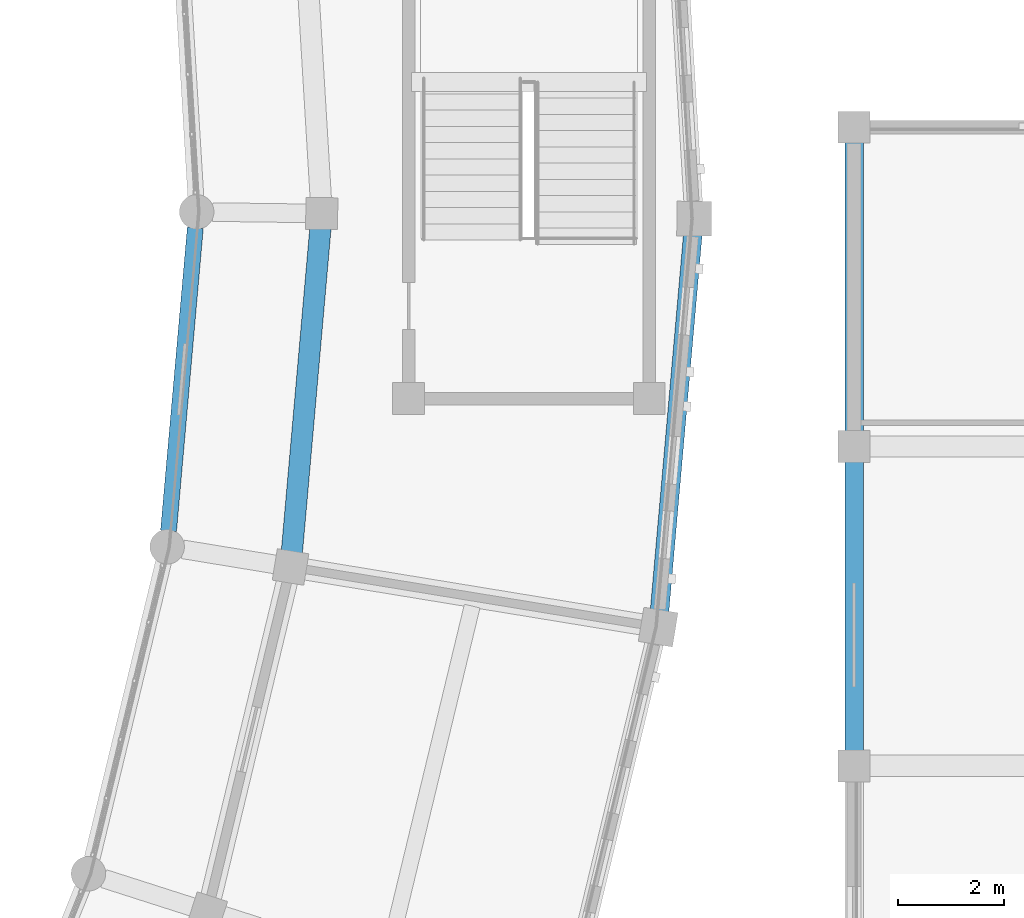
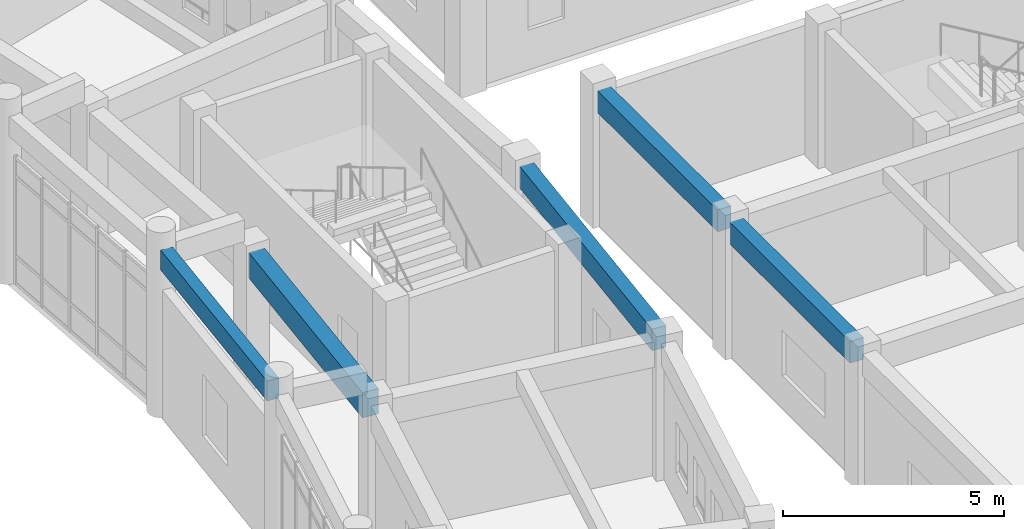
# One storey, part 86 of 159: 5 beams.
"""IFC4 building model written with IfcOpenShell, lengths in metres."""

import ifcopenshell
import ifcopenshell.guid

model = None  # the IFC model being written
_history = None  # IfcOwnerHistory: only IFC2X3 demands one
_inside = {}  # id of a spatial element -> (the spatial element, [elements in it])
_under = {}  # id of a project, library or spatial element -> (it, [spatial elements below it])
_declared = {}  # id of a project -> (the project, [libraries it declares])
_typed = {}  # id of a type object -> (the type object, [elements of that type])
_made_of = {}  # id of a material, layer set ... -> (it, [elements and type objects made of it])


def new_model(schema):
    """Start an empty IFC model of exactly this schema.

    Asked for "IFC4X3", IfcOpenShell would pick the latest addendum, in which some entities
    have other attributes; the version numbers below select the first issue.
    IFC2X3 requires an IfcOwnerHistory on every rooted entity: one is made here for all.
    """
    global model, _history
    if schema == "IFC4X3":
        model = ifcopenshell.file(schema_version=(4, 3, 0, 0))
    else:
        model = ifcopenshell.file(schema=schema)
    _inside.clear()
    _under.clear()
    _declared.clear()
    _typed.clear()
    _made_of.clear()
    _history = None
    if model.schema == "IFC2X3":
        org = make("IfcOrganization", Name="unknown")
        user = make(
            "IfcPersonAndOrganization",
            ThePerson=make("IfcPerson", FamilyName="unknown"),
            TheOrganization=org,
        )
        app = make(
            "IfcApplication",
            ApplicationDeveloper=org,
            Version="unknown",
            ApplicationFullName="unknown",
            ApplicationIdentifier="unknown",
        )
        _history = make(
            "IfcOwnerHistory",
            OwningUser=user,
            OwningApplication=app,
            ChangeAction="ADDED",
            CreationDate=0,
        )
    return model


def make(cls, **values):
    """One entity of the class cls with the attributes given. An attribute that is None is left unset."""
    return model.create_entity(
        cls, **{name: value for name, value in values.items() if value is not None}
    )


def rooted(cls, **values):
    """An entity with a GlobalId (a new one), such as an element, a storey or a relation."""
    return make(cls, GlobalId=ifcopenshell.guid.new(), OwnerHistory=_history, **values)


def si_unit(unit_type, name, prefix=None):
    """IfcSIUnit, for example si_unit("LENGTHUNIT", "METRE", prefix="MILLI")."""
    return make("IfcSIUnit", UnitType=unit_type, Prefix=prefix, Name=name)


def assignment(units):
    """IfcUnitAssignment: the units of a project."""
    return None if units is None else make("IfcUnitAssignment", Units=units)


def point(xyz):
    """IfcCartesianPoint."""
    return None if xyz is None else make("IfcCartesianPoint", Coordinates=xyz)


def direction(xyz):
    """IfcDirection."""
    return None if xyz is None else make("IfcDirection", DirectionRatios=xyz)


def frame(location, z_axis=None, x_axis=None):
    """IfcAxis2Placement3D, a coordinate frame: its origin and axes. An axis left out is left unset."""
    return make(
        "IfcAxis2Placement3D",
        Location=point(location),
        Axis=direction(z_axis),
        RefDirection=direction(x_axis),
    )


def frame_2d(location, x_axis=None):
    """IfcAxis2Placement2D, a coordinate frame in the plane: its origin and x axis."""
    return make(
        "IfcAxis2Placement2D", Location=point(location), RefDirection=direction(x_axis)
    )


def origin():
    """The frame at (0, 0, 0) with its axes left unset."""
    return frame((0.0, 0.0, 0.0))


def origin_2d():
    """The frame at (0, 0) in the plane with its x axis left unset."""
    return frame_2d((0.0, 0.0))


def place(relative_to, where):
    """IfcLocalPlacement: puts the frame where relative to a parent placement (None: the world)."""
    return make(
        "IfcLocalPlacement", PlacementRelTo=relative_to, RelativePlacement=where
    )


def context(
    kind, dimensions, precision=None, world=None, true_north=None, identifier=None
):
    """IfcGeometricRepresentationContext, for example the 3D "Model" context."""
    return make(
        "IfcGeometricRepresentationContext",
        ContextIdentifier=identifier,
        ContextType=kind,
        CoordinateSpaceDimension=dimensions,
        Precision=precision,
        WorldCoordinateSystem=world,
        TrueNorth=true_north,
    )


def subcontext(parent, identifier, kind, view, scale=None):
    """IfcGeometricRepresentationSubContext, for example "Body" below "Model"."""
    return make(
        "IfcGeometricRepresentationSubContext",
        ContextIdentifier=identifier,
        ContextType=kind,
        ParentContext=parent,
        TargetScale=scale,
        TargetView=view,
    )


def project(units=None, contexts=None):
    """IfcProject with its units and contexts."""
    return rooted(
        "IfcProject",
        Name="project",
        RepresentationContexts=contexts,
        UnitsInContext=assignment(units),
    )


def spatial(cls, under=None, at=None, **own):
    """A site, building, storey or space (cls), placed at a placement, below another one or the project."""
    s = rooted(cls, ObjectPlacement=at, **own)
    if under is not None:
        _under.setdefault(under.id(), (under, []))[1].append(s)
    return s


def profile(cls, at=None, kind="AREA", **sizes):
    """A parametric profile (cls). Its sizes go by their IFC names, for example OverallWidth=200.0."""
    return make(cls, ProfileType=kind, Position=at, **sizes)


def rectangle(**sizes):
    """IfcRectangleProfileDef."""
    return profile("IfcRectangleProfileDef", **sizes)


def extrude(swept, where, along, depth):
    """IfcExtrudedAreaSolid: the profile swept, set in the frame where, extruded along a direction by depth."""
    return make(
        "IfcExtrudedAreaSolid",
        SweptArea=swept,
        Position=where,
        ExtrudedDirection=direction(along),
        Depth=depth,
    )


def shape(context_of_items, identifier, shape_type, items):
    """IfcShapeRepresentation: the items that make up one representation, for example the "Body"."""
    return make(
        "IfcShapeRepresentation",
        ContextOfItems=context_of_items,
        RepresentationIdentifier=identifier,
        RepresentationType=shape_type,
        Items=items,
    )


def material(Name=None, Category=None):
    """IfcMaterial."""
    return make("IfcMaterial", Name=Name, Category=Category)


def material_profile(
    of_material, cross_section, Name=None, Category=None, Priority=None
):
    """IfcMaterialProfile: a cross section and its material."""
    return make(
        "IfcMaterialProfile",
        Name=Name,
        Material=of_material,
        Profile=cross_section,
        Priority=Priority,
        Category=Category,
    )


def profile_set(profiles, Name=None, composite=None):
    """IfcMaterialProfileSet."""
    return make(
        "IfcMaterialProfileSet",
        Name=Name,
        MaterialProfiles=profiles,
        CompositeProfile=composite,
    )


def made_of(thing, what):
    """Note that an element or type object is made of a material, layer set ...; save() writes the relation."""
    if what is not None:
        _made_of.setdefault(what.id(), (what, []))[1].append(thing)
    return thing


def type_object(cls, material=None, **own):
    """A type object (cls), such as IfcWallType, which elements share."""
    return made_of(rooted(cls, **own), material)


def element(
    cls,
    number,
    at=None,
    inside=None,
    cuts=None,
    type_object=None,
    material=None,
    context=None,
    identifier="Body",
    shape_type=None,
    held_by="IfcProductDefinitionShape",
    body=None,
    shapes=None,
    **own,
):
    """One element of the class cls, such as IfcWall. Its Tag is "e" and its number.

    at: its placement. inside: the storey or other place that contains it. cuts: it is an
    opening in that element (IfcRelVoidsElement). A single representation is given by context,
    identifier, shape_type and body (its items); several are given by shapes. held_by: the class
    of the entity that holds the representations. save() writes the other relations.
    """
    e = rooted(cls, Tag="e%d" % number, ObjectPlacement=at, **own)
    if body is not None:
        shapes = [shape(context, identifier, shape_type, body)]
    if shapes is not None:
        e.Representation = make(held_by, Representations=shapes)
    if inside is not None:
        _inside.setdefault(inside.id(), (inside, []))[1].append(e)
    if cuts is not None:
        rooted(
            "IfcRelVoidsElement", RelatingBuildingElement=cuts, RelatedOpeningElement=e
        )
    if type_object is not None:
        _typed.setdefault(type_object.id(), (type_object, []))[1].append(e)
    return made_of(e, material)


def aggregate(whole, parts):
    """IfcRelAggregates: a whole, such as a stair, and the parts it consists of."""
    return rooted("IfcRelAggregates", RelatingObject=whole, RelatedObjects=parts)


def save(model, path):
    """Write the relations noted so far, then the file.

    IfcRelAggregates (storeys below a building ...), IfcRelContainedInSpatialStructure (elements
    in a storey), IfcRelDefinesByType, IfcRelAssociatesMaterial and IfcRelDeclares: one each for
    every whole, place, type object, material and project.
    """
    for whole, parts in _under.values():
        aggregate(whole, parts)
    for where, things in _inside.values():
        rooted(
            "IfcRelContainedInSpatialStructure",
            RelatedElements=things,
            RelatingStructure=where,
        )
    for kind, things in _typed.values():
        rooted("IfcRelDefinesByType", RelatedObjects=things, RelatingType=kind)
    for what, things in _made_of.values():
        rooted("IfcRelAssociatesMaterial", RelatedObjects=things, RelatingMaterial=what)
    for by, libraries in _declared.values():
        rooted("IfcRelDeclares", RelatingContext=by, RelatedDefinitions=libraries)
    model.write(path)


model = new_model("IFC4")

# Units and contexts
model_context = context("Model", 3, precision=1e-05, world=origin(), true_north=direction((0.0, 1.0)))
body_context = subcontext(model_context, "Body", "Model", "MODEL_VIEW")
ifc_project = project(units=[si_unit("LENGTHUNIT", "METRE"), si_unit("AREAUNIT", "SQUARE_METRE"), si_unit("VOLUMEUNIT", "CUBIC_METRE"), si_unit("PLANEANGLEUNIT", "RADIAN"), si_unit("MASSUNIT", "GRAM", prefix="KILO")], contexts=[model_context])

# Site, building, storey
site_placement = place(None, origin())
site = spatial("IfcSite", under=ifc_project, at=site_placement, CompositionType="ELEMENT")
building_placement = place(site_placement, origin())
building = spatial("IfcBuilding", under=site, at=building_placement, Name="Celadon Cloister-Ring School", CompositionType="ELEMENT")
storey_placement = place(building_placement, frame((0.0, 0.0, 4.5)))
storey = spatial("IfcBuildingStorey", under=building, at=storey_placement, Name="L01", CompositionType="ELEMENT", Elevation=4.5)

# Beams
ifc_material_1 = material(Name="Concrete C35/45", Category="concrete")
ifc_material_profile_1 = material_profile(ifc_material_1, rectangle(XDim=0.35009765625, YDim=0.60009765625, at=origin_2d()), Name="RC350X600")
ifc_profile_set_1 = profile_set([ifc_material_profile_1], Name="Concrete C35/45")
beam_type_1 = type_object("IfcBeamType", Name="BT-02", PredefinedType="BEAM", material=ifc_profile_set_1)
for number, where, z_axis, x_axis, name in (
    (1, (142.0, 48.27490234375, 3.4599609375), (0.0, 1.0, 0.0), (-1.0, 0.0, 0.0), "Beam 1326"),
    (2, (142.0, 54.27490234375, 3.4599609375), (0.0, 1.0, 0.0), (-1.0, 0.0, 0.0), "Beam 1327"),
):
    element("IfcBeam", number, at=place(storey_placement, frame(where, z_axis=z_axis, x_axis=x_axis)), inside=storey, type_object=beam_type_1, Name=name, PredefinedType="BEAM", context=body_context, shape_type="SweptSolid", body=[
        extrude(rectangle(XDim=0.35009765625, YDim=0.60009765625, at=origin_2d()), origin(), (0.0, 0.0, 1.0), 5.4501953125),
    ])
ifc_material_2 = material(Name="Concrete C35/45", Category="concrete")
ifc_material_profile_2 = material_profile(ifc_material_2, rectangle(XDim=0.39990234375, YDim=0.699951171875, at=origin_2d()), Name="RC400X700")
ifc_profile_set_2 = profile_set([ifc_material_profile_2], Name="Concrete C35/45")
beam_type_2 = type_object("IfcBeamType", Name="GT-03", PredefinedType="USERDEFINED", material=ifc_profile_set_2)
beam_1_placement = place(storey_placement, frame((131.43408203125, 52.010986328125, 3.429931640625), z_axis=(0.087929921019, 0.996126663126, 0.0), x_axis=(-0.996126663126, 0.087929921019, 0.0)))
element("IfcBeam", 3, at=beam_1_placement, inside=storey, type_object=beam_type_2, Name="Beam 0368", ObjectType="GIRDER", PredefinedType="USERDEFINED", context=body_context, shape_type="SweptSolid", body=[
    extrude(rectangle(XDim=0.39990234375, YDim=0.699951171875, at=origin_2d()), origin(), (0.0, 0.0, 1.0), 6.11669921875),
])
ifc_material_3 = material(Name="Concrete C35/45", Category="concrete")
ifc_material_profile_3 = material_profile(ifc_material_3, rectangle(XDim=0.35009765625, YDim=0.60009765625, at=origin_2d()), Name="RC350X600")
ifc_profile_set_3 = profile_set([ifc_material_profile_3], Name="Concrete C35/45")
beam_type_3 = type_object("IfcBeamType", Name="SP-01", PredefinedType="SPANDREL", material=ifc_profile_set_3)
beam_2_placement = place(storey_placement, frame((138.343994140625, 50.906005859375, 3.47998046875), z_axis=(0.087985087375, 0.996121791951, 0.0), x_axis=(-0.996121791951, 0.087985087375, 0.0)))
element("IfcBeam", 4, at=beam_2_placement, inside=storey, type_object=beam_type_3, Name="Beam 0367", PredefinedType="SPANDREL", context=body_context, shape_type="SweptSolid", body=[
    extrude(rectangle(XDim=0.35009765625, YDim=0.60009765625, at=origin_2d()), origin(), (0.0, 0.0, 1.0), 7.103515625),
])
ifc_material_4 = material(Name="Concrete C35/45", Category="concrete")
ifc_material_profile_4 = material_profile(ifc_material_4, rectangle(XDim=0.300048828125, YDim=0.550048828125, at=origin_2d()), Name="RC300X550")
ifc_profile_set_4 = profile_set([ifc_material_profile_4], Name="Concrete C35/45")
beam_type_4 = type_object("IfcBeamType", Name="SP-02", PredefinedType="SPANDREL", material=ifc_profile_set_4)
beam_3_placement = place(storey_placement, frame((129.116943359375, 52.4150390625, 4.375), z_axis=(0.087994739021, 0.996120939397, 0.0), x_axis=(-0.996120939397, 0.087994739021, 0.0)))
element("IfcBeam", 5, at=beam_3_placement, inside=storey, type_object=beam_type_4, Name="Beam 0369", PredefinedType="SPANDREL", context=body_context, shape_type="SweptSolid", body=[
    extrude(rectangle(XDim=0.300048828125, YDim=0.550048828125, at=origin_2d()), origin(), (0.0, 0.0, 1.0), 5.71826171875),
])

save(model, "model.ifc")
